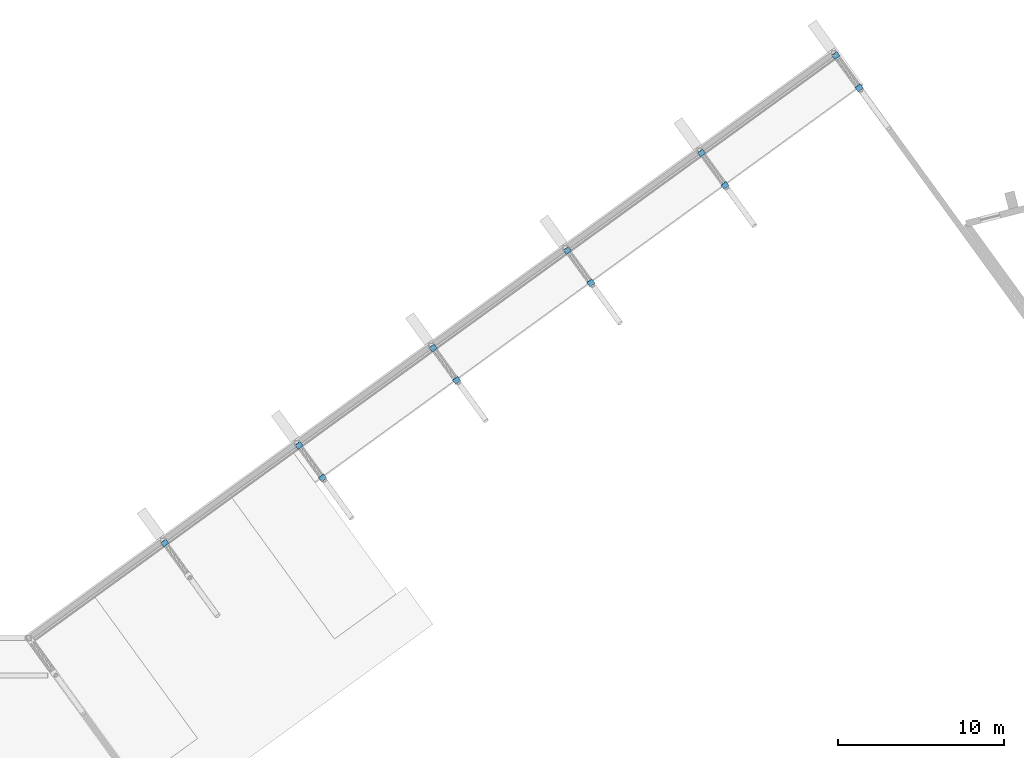
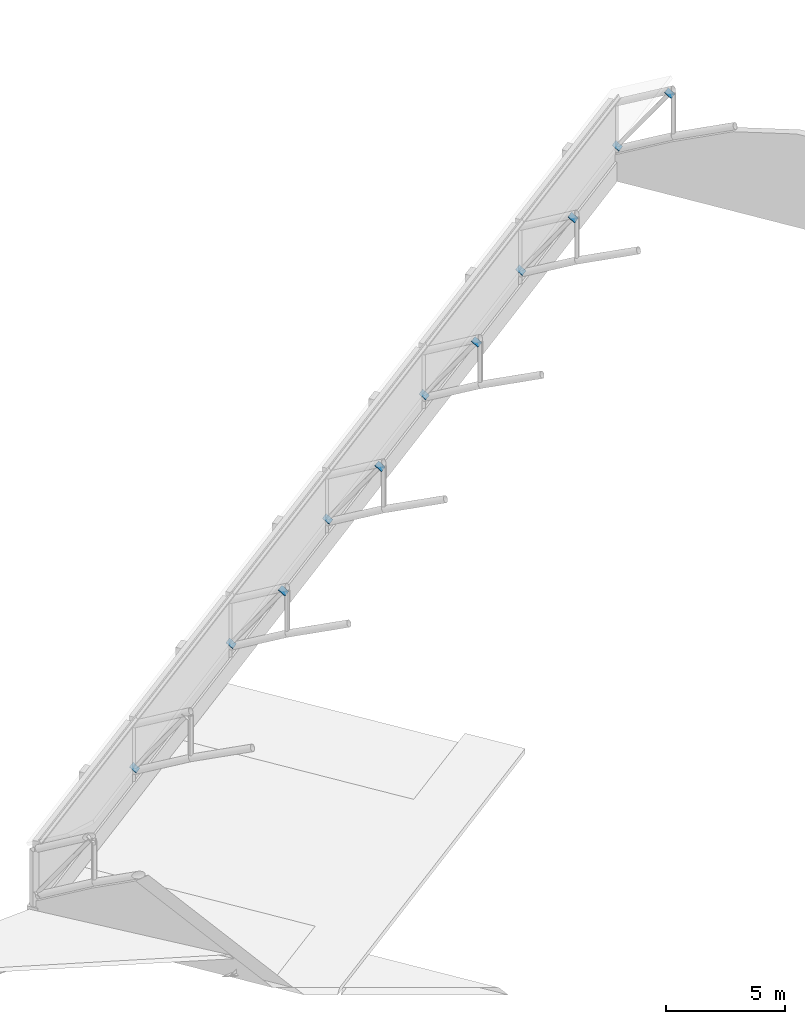
# One storey, part 181 of 196: 11 discrete accessories.
"""IFC4 building model written with IfcOpenShell, lengths in metres."""

from ifc_helpers import new_model, si_unit, direction, frame, origin, origin_2d, place, context, subcontext, project, spatial, rectangle, extrude, material, layer, layer_set, type_object, element, save


model = new_model("IFC4")

# Units and contexts
model_context = context("Model", 3, precision=1e-05, world=origin(), true_north=direction((0.0, 1.0)))
body_context = subcontext(model_context, "Body", "Model", "MODEL_VIEW")
ifc_project = project(units=[si_unit("LENGTHUNIT", "METRE"), si_unit("AREAUNIT", "SQUARE_METRE"), si_unit("VOLUMEUNIT", "CUBIC_METRE"), si_unit("PLANEANGLEUNIT", "RADIAN"), si_unit("MASSUNIT", "GRAM", prefix="KILO")], contexts=[model_context])

# Site, building, storey
site_placement = place(None, origin())
site = spatial("IfcSite", under=ifc_project, at=site_placement, CompositionType="ELEMENT")
building_placement = place(site_placement, origin())
building = spatial("IfcBuilding", under=site, at=building_placement, Name="Okhra Congress Centre", CompositionType="ELEMENT")
storey_placement = place(building_placement, frame((0.0, 0.0, 12.0)))
storey = spatial("IfcBuildingStorey", under=building, at=storey_placement, Name="L02", CompositionType="ELEMENT", Elevation=12.0)

# Discrete accessories
ifc_material = material(Name="Steel S355J2", Category="steel")
ifc_layer = layer(ifc_material, 0.02001953125)
ifc_layer_set = layer_set([ifc_layer], Name="Brace end connection plate 20 mm S355")
discrete_accessory_type = type_object("IfcDiscreteAccessoryType", Name="Brace end connection plate 20 mm S355", PredefinedType="BRACKET", material=ifc_layer_set)
for number, where, z_axis, x_axis, name in (
    (1, (206.26708984375, 205.526611328125, 1.705810546875), (-0.339699775673, 0.473153258973, -0.812853034645), (-0.812323733592, -0.583206783091, 0.0), "Brace end connection plate"),
    (2, (214.357177734375, 211.404541015625, 1.705810546875), (-0.341641293262, 0.463656040856, -0.817498808877), (-0.805055837353, -0.59319903805, 0.0), "Brace end connection plate"),
):
    element("IfcDiscreteAccessory", number, at=place(storey_placement, frame(where, z_axis=z_axis, x_axis=x_axis)), inside=storey, type_object=discrete_accessory_type, Name=name, PredefinedType="BRACKET", context=body_context, shape_type="SweptSolid", body=[
        extrude(rectangle(XDim=0.386962890625, YDim=0.386962890625, at=origin_2d()), origin(), (0.0, 0.0, 1.0), 0.02001953125),
    ])
discrete_accessory_1_placement = place(storey_placement, frame((215.768798828125, 209.461669921875, 5.085205078125), z_axis=(0.345074700913, -0.468315665525, 0.813390366438), x_axis=(0.805055837353, 0.59319903805, 0.0)))
element("IfcDiscreteAccessory", 3, at=discrete_accessory_1_placement, inside=storey, type_object=discrete_accessory_type, Name="Brace end connection plate", PredefinedType="BRACKET", context=body_context, shape_type="SweptSolid", body=[
    extrude(rectangle(XDim=0.386962890625, YDim=0.386962890625, at=origin_2d()), origin(), (0.0, 0.0, 1.0), 0.019775390625),
])
for number, where, z_axis, x_axis, name in (
    (4, (222.447509765625, 217.282470703125, 1.705810546875), (-0.341641293262, 0.463656040856, -0.817498808877), (-0.805055837353, -0.59319903805, 0.0), "Brace end connection plate"),
    (5, (223.85888671875, 215.339599609375, 5.085205078125), (0.343074401607, -0.47785363081, 0.808675375217), (0.812323733592, 0.583206783091, 0.0), "Brace end connection plate"),
    (6, (230.53759765625, 223.16015625, 1.705810546875), (-0.339699775673, 0.473153258973, -0.812853034645), (-0.812323733592, -0.583206783091, 0.0), "Brace end connection plate"),
):
    element("IfcDiscreteAccessory", number, at=place(storey_placement, frame(where, z_axis=z_axis, x_axis=x_axis)), inside=storey, type_object=discrete_accessory_type, Name=name, PredefinedType="BRACKET", context=body_context, shape_type="SweptSolid", body=[
        extrude(rectangle(XDim=0.386962890625, YDim=0.386962890625, at=origin_2d()), origin(), (0.0, 0.0, 1.0), 0.02001953125),
    ])
discrete_accessory_2_placement = place(storey_placement, frame((231.94921875, 221.21728515625, 5.085205078125), z_axis=(0.334149203199, -0.470284063761, 0.816809163375), x_axis=(0.815180408266, 0.579207132189, 0.0)))
element("IfcDiscreteAccessory", 7, at=discrete_accessory_2_placement, inside=storey, type_object=discrete_accessory_type, Name="Brace end connection plate", PredefinedType="BRACKET", context=body_context, shape_type="SweptSolid", body=[
    extrude(rectangle(XDim=0.386962890625, YDim=0.386962890625, at=origin_2d()), origin(), (0.0, 0.0, 1.0), 0.019775390625),
])
discrete_accessory_3_placement = place(storey_placement, frame((238.627685546875, 229.0380859375, 1.705810546875), z_axis=(-0.341641293262, 0.463656040856, -0.817498808877), x_axis=(-0.805055837353, -0.59319903805, 0.0)))
element("IfcDiscreteAccessory", 8, at=discrete_accessory_3_placement, inside=storey, type_object=discrete_accessory_type, Name="Brace end connection plate", PredefinedType="BRACKET", context=body_context, shape_type="SweptSolid", body=[
    extrude(rectangle(XDim=0.386962890625, YDim=0.386962890625, at=origin_2d()), origin(), (0.0, 0.0, 1.0), 0.02001953125),
])
discrete_accessory_4_placement = place(storey_placement, frame((240.039306640625, 227.09521484375, 5.085205078125), z_axis=(0.345074700913, -0.468315665525, 0.813390366438), x_axis=(0.805055837353, 0.59319903805, 0.0)))
element("IfcDiscreteAccessory", 9, at=discrete_accessory_4_placement, inside=storey, type_object=discrete_accessory_type, Name="Brace end connection plate", PredefinedType="BRACKET", context=body_context, shape_type="SweptSolid", body=[
    extrude(rectangle(XDim=0.386962890625, YDim=0.386962890625, at=origin_2d()), origin(), (0.0, 0.0, 1.0), 0.019775390625),
])
for number, where, z_axis, x_axis, name in (
    (10, (246.718017578125, 234.916015625, 1.705810546875), (-0.341641293262, 0.463656040856, -0.817498808877), (-0.805055837353, -0.59319903805, 0.0), "Brace end connection plate"),
    (11, (248.12939453125, 232.97314453125, 5.085205078125), (0.343074401607, -0.47785363081, 0.808675375217), (0.812323733592, 0.583206783091, 0.0), "Brace end connection plate"),
):
    element("IfcDiscreteAccessory", number, at=place(storey_placement, frame(where, z_axis=z_axis, x_axis=x_axis)), inside=storey, type_object=discrete_accessory_type, Name=name, PredefinedType="BRACKET", context=body_context, shape_type="SweptSolid", body=[
        extrude(rectangle(XDim=0.386962890625, YDim=0.386962890625, at=origin_2d()), origin(), (0.0, 0.0, 1.0), 0.02001953125),
    ])

save(model, "model.ifc")
